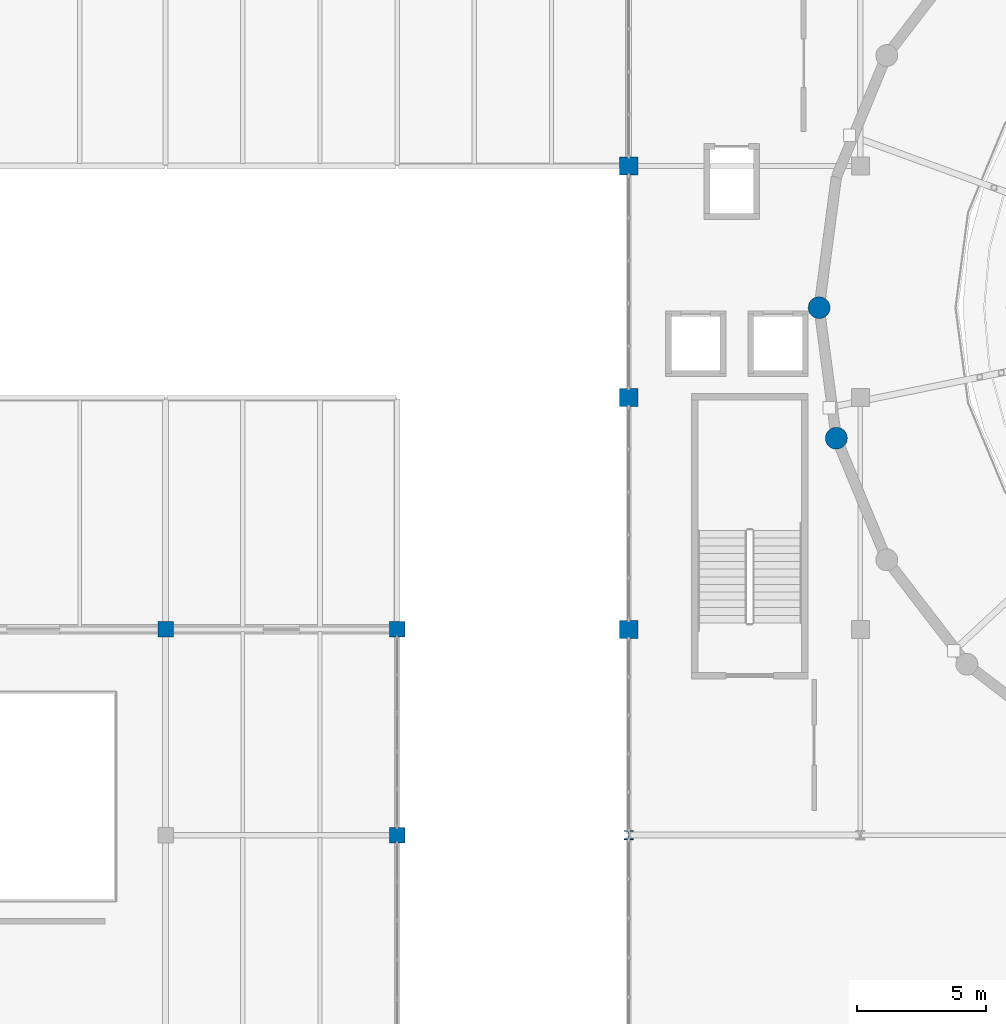
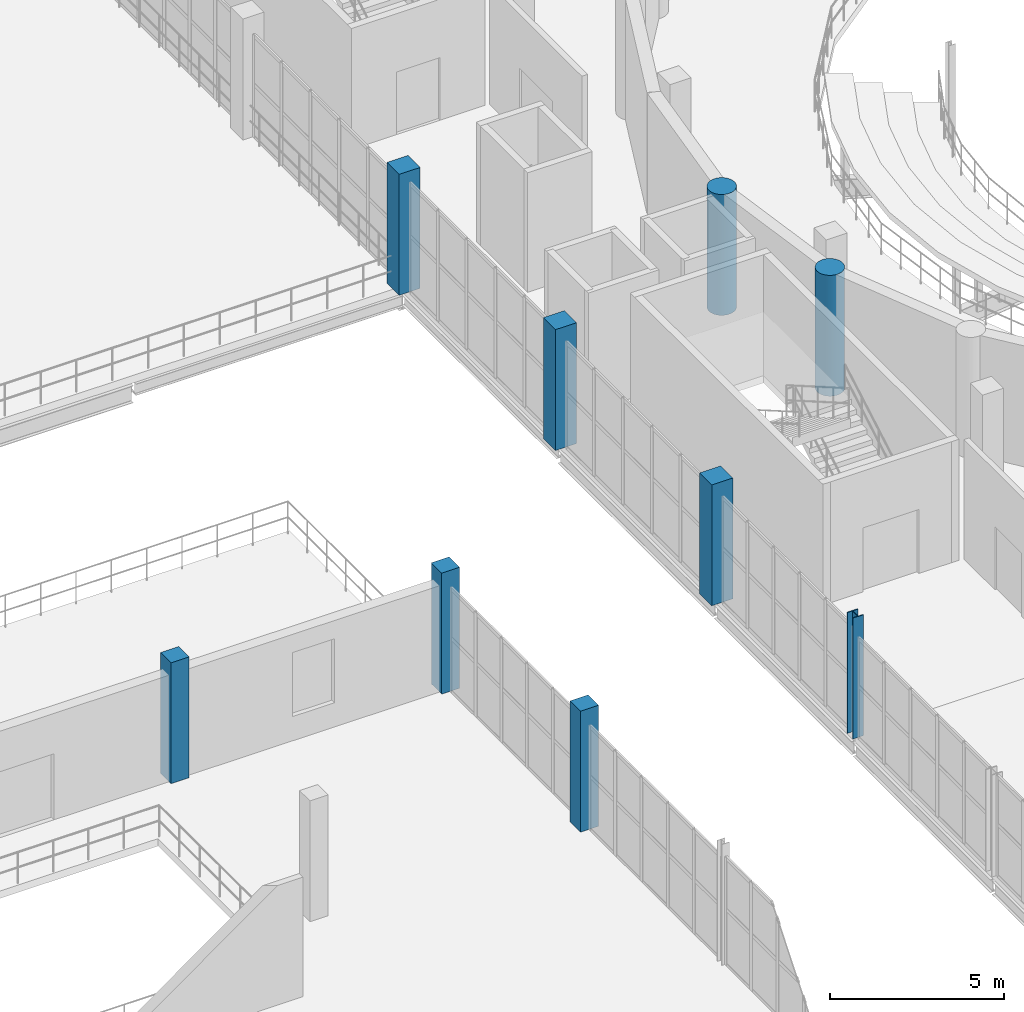
# One storey, part 4 of 73: 9 columns.
"""IFC4 building model written with IfcOpenShell, lengths in metres."""

from ifc_helpers import new_model, si_unit, direction, frame, origin, origin_2d, place, context, subcontext, project, spatial, rectangle, circle, i_section, extrude, material, material_profile, profile_set, type_object, element, save


model = new_model("IFC4")

# Units and contexts
model_context = context("Model", 3, precision=1e-05, world=origin(), true_north=direction((0.0, 1.0)))
body_context = subcontext(model_context, "Body", "Model", "MODEL_VIEW")
ifc_project = project(units=[si_unit("LENGTHUNIT", "METRE"), si_unit("AREAUNIT", "SQUARE_METRE"), si_unit("VOLUMEUNIT", "CUBIC_METRE"), si_unit("PLANEANGLEUNIT", "RADIAN"), si_unit("MASSUNIT", "GRAM", prefix="KILO")], contexts=[model_context])

# Site, building, storey
site_placement = place(None, origin())
site = spatial("IfcSite", under=ifc_project, at=site_placement, CompositionType="ELEMENT")
building_placement = place(site_placement, origin())
building = spatial("IfcBuilding", under=site, at=building_placement, Name="Marnock Terrace Opera House", CompositionType="ELEMENT")
storey_placement = place(building_placement, frame((0.0, 0.0, 14.699951171875)))
storey = spatial("IfcBuildingStorey", under=building, at=storey_placement, Name="L03", CompositionType="ELEMENT", Elevation=14.699951171875)

# Columns
ifc_material_1 = material(Name="Concrete N50 (f'c = 50 MPa)", Category="concrete")
ifc_material_profile_1 = material_profile(ifc_material_1, circle(Radius=0.425048828125, at=origin_2d()))
ifc_profile_set_1 = profile_set([ifc_material_profile_1], Name="Concrete N50 (f'c = 50 MPa)")
column_type_1 = type_object("IfcColumnType", Name="COL-DRUM-850", PredefinedType="COLUMN", material=ifc_profile_set_1)
for number, where, z_axis, x_axis, name in (
    (1, (62.39990234375, 60.5, 0.0), (0.0, 0.0, 1.0), (1.0, 0.0, 0.0), "L03 auditorium drum pier 13"),
    (2, (63.068115234375, 55.427001953125, 0.0), (0.0, 0.0, 1.0), (1.0, 0.0, 0.0), "L03 auditorium drum pier 14"),
):
    element("IfcColumn", number, at=place(storey_placement, frame(where, z_axis=z_axis, x_axis=x_axis)), inside=storey, type_object=column_type_1, Name=name, PredefinedType="COLUMN", context=body_context, shape_type="SweptSolid", body=[
        extrude(circle(Radius=0.425048828125, at=origin_2d()), origin(), (0.0, 0.0, 1.0), 4.25),
    ])
ifc_material_2 = material(Name="Concrete N40 (f'c = 40 MPa)", Category="concrete")
ifc_material_profile_2 = material_profile(ifc_material_2, rectangle(XDim=0.60009765625, YDim=0.60009765625, at=origin_2d()))
ifc_profile_set_2 = profile_set([ifc_material_profile_2], Name="Concrete N40 (f'c = 40 MPa)")
column_type_2 = type_object("IfcColumnType", Name="COL-RC600", PredefinedType="COLUMN", material=ifc_profile_set_2)
for number, where, z_axis, x_axis, name in (
    (3, (37.0, 48.0, 0.0), (0.0, 0.0, 1.0), (1.0, 0.0, 0.0), "L03 column at (37.0, 48.0)"),
    (4, (46.0, 40.0, 0.0), (0.0, 0.0, 1.0), (1.0, 0.0, 0.0), "L03 column at (46.0, 40.0)"),
    (5, (46.0, 48.0, 0.0), (0.0, 0.0, 1.0), (1.0, 0.0, 0.0), "L03 column at (46.0, 48.0)"),
):
    element("IfcColumn", number, at=place(storey_placement, frame(where, z_axis=z_axis, x_axis=x_axis)), inside=storey, type_object=column_type_2, Name=name, PredefinedType="COLUMN", context=body_context, shape_type="SweptSolid", body=[
        extrude(rectangle(XDim=0.60009765625, YDim=0.60009765625, at=origin_2d()), origin(), (0.0, 0.0, 1.0), 4.25),
    ])
ifc_material_profile_3 = material_profile(ifc_material_2, rectangle(XDim=0.699951171875, YDim=0.699951171875, at=origin_2d()))
ifc_profile_set_3 = profile_set([ifc_material_profile_3], Name="Concrete N40 (f'c = 40 MPa)")
column_type_3 = type_object("IfcColumnType", Name="COL-RC700", PredefinedType="COLUMN", material=ifc_profile_set_3)
for number, where, z_axis, x_axis, name in (
    (6, (55.0, 48.0, 0.0), (0.0, 0.0, 1.0), (1.0, 0.0, 0.0), "L03 column at (55.0, 48.0)"),
    (7, (55.0, 57.0, 0.0), (0.0, 0.0, 1.0), (1.0, 0.0, 0.0), "L03 column at (55.0, 57.0)"),
    (8, (55.0, 66.0, 0.0), (0.0, 0.0, 1.0), (1.0, 0.0, 0.0), "L03 column at (55.0, 66.0)"),
):
    element("IfcColumn", number, at=place(storey_placement, frame(where, z_axis=z_axis, x_axis=x_axis)), inside=storey, type_object=column_type_3, Name=name, PredefinedType="COLUMN", context=body_context, shape_type="SweptSolid", body=[
        extrude(rectangle(XDim=0.699951171875, YDim=0.699951171875, at=origin_2d()), origin(), (0.0, 0.0, 1.0), 4.25),
    ])
ifc_material_3 = material(Name="Steel Grade 350 Welded (AS/NZS 3679.2)", Category="steel")
ifc_material_profile_4 = material_profile(ifc_material_3, i_section(OverallWidth=0.35009765625, OverallDepth=0.35009765625, WebThickness=0.01611328125, FlangeThickness=0.028076171875, at=origin_2d()))
ifc_profile_set_4 = profile_set([ifc_material_profile_4], Name="Steel Grade 350 Welded (AS/NZS 3679.2)")
column_type_4 = type_object("IfcColumnType", Name="COL-WC350", PredefinedType="COLUMN", material=ifc_profile_set_4)
column_placement = place(storey_placement, frame((55.0, 40.0, 0.0), z_axis=(0.0, 0.0, 1.0), x_axis=(1.0, 0.0, 0.0)))
element("IfcColumn", 9, at=column_placement, inside=storey, type_object=column_type_4, Name="L03 column at (55.0, 40.0)", PredefinedType="COLUMN", context=body_context, shape_type="SweptSolid", body=[
    extrude(i_section(OverallWidth=0.35009765625, OverallDepth=0.35009765625, WebThickness=0.01611328125, FlangeThickness=0.028076171875, at=origin_2d()), origin(), (0.0, 0.0, 1.0), 4.25),
])

save(model, "model.ifc")
